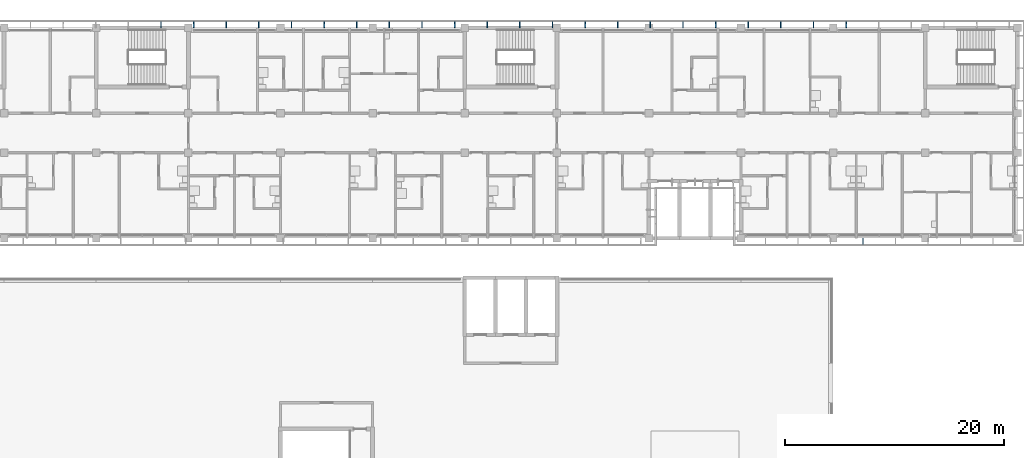
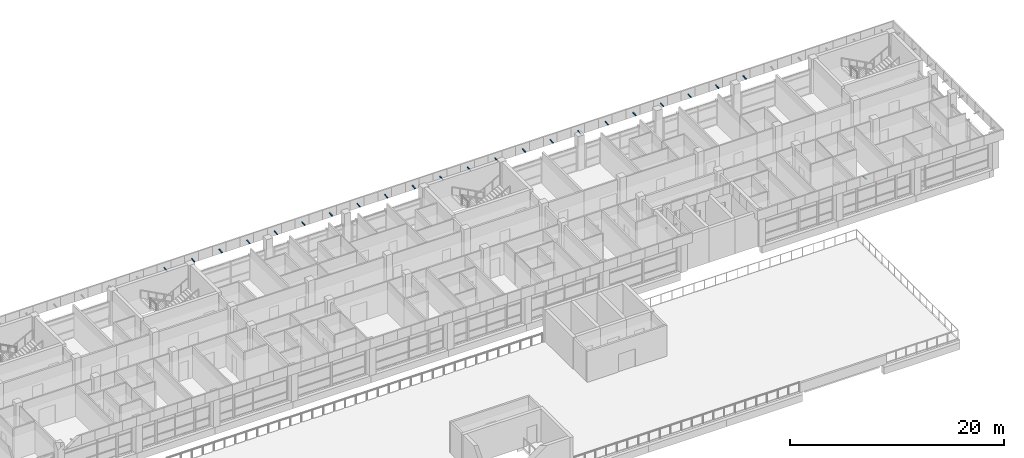
# One storey, part 35 of 46: 23 discrete accessories.
"""IFC4 building model written with IfcOpenShell, lengths in metres."""

import ifcopenshell
import ifcopenshell.guid

model = None  # the IFC model being written
_history = None  # IfcOwnerHistory: only IFC2X3 demands one
_inside = {}  # id of a spatial element -> (the spatial element, [elements in it])
_under = {}  # id of a project, library or spatial element -> (it, [spatial elements below it])
_declared = {}  # id of a project -> (the project, [libraries it declares])
_typed = {}  # id of a type object -> (the type object, [elements of that type])
_made_of = {}  # id of a material, layer set ... -> (it, [elements and type objects made of it])


def new_model(schema):
    """Start an empty IFC model of exactly this schema.

    Asked for "IFC4X3", IfcOpenShell would pick the latest addendum, in which some entities
    have other attributes; the version numbers below select the first issue.
    IFC2X3 requires an IfcOwnerHistory on every rooted entity: one is made here for all.
    """
    global model, _history
    if schema == "IFC4X3":
        model = ifcopenshell.file(schema_version=(4, 3, 0, 0))
    else:
        model = ifcopenshell.file(schema=schema)
    _inside.clear()
    _under.clear()
    _declared.clear()
    _typed.clear()
    _made_of.clear()
    _history = None
    if model.schema == "IFC2X3":
        org = make("IfcOrganization", Name="unknown")
        user = make(
            "IfcPersonAndOrganization",
            ThePerson=make("IfcPerson", FamilyName="unknown"),
            TheOrganization=org,
        )
        app = make(
            "IfcApplication",
            ApplicationDeveloper=org,
            Version="unknown",
            ApplicationFullName="unknown",
            ApplicationIdentifier="unknown",
        )
        _history = make(
            "IfcOwnerHistory",
            OwningUser=user,
            OwningApplication=app,
            ChangeAction="ADDED",
            CreationDate=0,
        )
    return model


def make(cls, **values):
    """One entity of the class cls with the attributes given. An attribute that is None is left unset."""
    return model.create_entity(
        cls, **{name: value for name, value in values.items() if value is not None}
    )


def rooted(cls, **values):
    """An entity with a GlobalId (a new one), such as an element, a storey or a relation."""
    return make(cls, GlobalId=ifcopenshell.guid.new(), OwnerHistory=_history, **values)


def si_unit(unit_type, name, prefix=None):
    """IfcSIUnit, for example si_unit("LENGTHUNIT", "METRE", prefix="MILLI")."""
    return make("IfcSIUnit", UnitType=unit_type, Prefix=prefix, Name=name)


def assignment(units):
    """IfcUnitAssignment: the units of a project."""
    return None if units is None else make("IfcUnitAssignment", Units=units)


def point(xyz):
    """IfcCartesianPoint."""
    return None if xyz is None else make("IfcCartesianPoint", Coordinates=xyz)


def direction(xyz):
    """IfcDirection."""
    return None if xyz is None else make("IfcDirection", DirectionRatios=xyz)


def frame(location, z_axis=None, x_axis=None):
    """IfcAxis2Placement3D, a coordinate frame: its origin and axes. An axis left out is left unset."""
    return make(
        "IfcAxis2Placement3D",
        Location=point(location),
        Axis=direction(z_axis),
        RefDirection=direction(x_axis),
    )


def frame_2d(location, x_axis=None):
    """IfcAxis2Placement2D, a coordinate frame in the plane: its origin and x axis."""
    return make(
        "IfcAxis2Placement2D", Location=point(location), RefDirection=direction(x_axis)
    )


def origin():
    """The frame at (0, 0, 0) with its axes left unset."""
    return frame((0.0, 0.0, 0.0))


def origin_2d():
    """The frame at (0, 0) in the plane with its x axis left unset."""
    return frame_2d((0.0, 0.0))


def place(relative_to, where):
    """IfcLocalPlacement: puts the frame where relative to a parent placement (None: the world)."""
    return make(
        "IfcLocalPlacement", PlacementRelTo=relative_to, RelativePlacement=where
    )


def context(
    kind, dimensions, precision=None, world=None, true_north=None, identifier=None
):
    """IfcGeometricRepresentationContext, for example the 3D "Model" context."""
    return make(
        "IfcGeometricRepresentationContext",
        ContextIdentifier=identifier,
        ContextType=kind,
        CoordinateSpaceDimension=dimensions,
        Precision=precision,
        WorldCoordinateSystem=world,
        TrueNorth=true_north,
    )


def subcontext(parent, identifier, kind, view, scale=None):
    """IfcGeometricRepresentationSubContext, for example "Body" below "Model"."""
    return make(
        "IfcGeometricRepresentationSubContext",
        ContextIdentifier=identifier,
        ContextType=kind,
        ParentContext=parent,
        TargetScale=scale,
        TargetView=view,
    )


def project(units=None, contexts=None):
    """IfcProject with its units and contexts."""
    return rooted(
        "IfcProject",
        Name="project",
        RepresentationContexts=contexts,
        UnitsInContext=assignment(units),
    )


def spatial(cls, under=None, at=None, **own):
    """A site, building, storey or space (cls), placed at a placement, below another one or the project."""
    s = rooted(cls, ObjectPlacement=at, **own)
    if under is not None:
        _under.setdefault(under.id(), (under, []))[1].append(s)
    return s


def profile(cls, at=None, kind="AREA", **sizes):
    """A parametric profile (cls). Its sizes go by their IFC names, for example OverallWidth=200.0."""
    return make(cls, ProfileType=kind, Position=at, **sizes)


def rectangle(**sizes):
    """IfcRectangleProfileDef."""
    return profile("IfcRectangleProfileDef", **sizes)


def extrude(swept, where, along, depth):
    """IfcExtrudedAreaSolid: the profile swept, set in the frame where, extruded along a direction by depth."""
    return make(
        "IfcExtrudedAreaSolid",
        SweptArea=swept,
        Position=where,
        ExtrudedDirection=direction(along),
        Depth=depth,
    )


def shape(context_of_items, identifier, shape_type, items):
    """IfcShapeRepresentation: the items that make up one representation, for example the "Body"."""
    return make(
        "IfcShapeRepresentation",
        ContextOfItems=context_of_items,
        RepresentationIdentifier=identifier,
        RepresentationType=shape_type,
        Items=items,
    )


def material(Name=None, Category=None):
    """IfcMaterial."""
    return make("IfcMaterial", Name=Name, Category=Category)


def material_profile(
    of_material, cross_section, Name=None, Category=None, Priority=None
):
    """IfcMaterialProfile: a cross section and its material."""
    return make(
        "IfcMaterialProfile",
        Name=Name,
        Material=of_material,
        Profile=cross_section,
        Priority=Priority,
        Category=Category,
    )


def profile_set(profiles, Name=None, composite=None):
    """IfcMaterialProfileSet."""
    return make(
        "IfcMaterialProfileSet",
        Name=Name,
        MaterialProfiles=profiles,
        CompositeProfile=composite,
    )


def made_of(thing, what):
    """Note that an element or type object is made of a material, layer set ...; save() writes the relation."""
    if what is not None:
        _made_of.setdefault(what.id(), (what, []))[1].append(thing)
    return thing


def type_object(cls, material=None, **own):
    """A type object (cls), such as IfcWallType, which elements share."""
    return made_of(rooted(cls, **own), material)


def element(
    cls,
    number,
    at=None,
    inside=None,
    cuts=None,
    type_object=None,
    material=None,
    context=None,
    identifier="Body",
    shape_type=None,
    held_by="IfcProductDefinitionShape",
    body=None,
    shapes=None,
    **own,
):
    """One element of the class cls, such as IfcWall. Its Tag is "e" and its number.

    at: its placement. inside: the storey or other place that contains it. cuts: it is an
    opening in that element (IfcRelVoidsElement). A single representation is given by context,
    identifier, shape_type and body (its items); several are given by shapes. held_by: the class
    of the entity that holds the representations. save() writes the other relations.
    """
    e = rooted(cls, Tag="e%d" % number, ObjectPlacement=at, **own)
    if body is not None:
        shapes = [shape(context, identifier, shape_type, body)]
    if shapes is not None:
        e.Representation = make(held_by, Representations=shapes)
    if inside is not None:
        _inside.setdefault(inside.id(), (inside, []))[1].append(e)
    if cuts is not None:
        rooted(
            "IfcRelVoidsElement", RelatingBuildingElement=cuts, RelatedOpeningElement=e
        )
    if type_object is not None:
        _typed.setdefault(type_object.id(), (type_object, []))[1].append(e)
    return made_of(e, material)


def aggregate(whole, parts):
    """IfcRelAggregates: a whole, such as a stair, and the parts it consists of."""
    return rooted("IfcRelAggregates", RelatingObject=whole, RelatedObjects=parts)


def save(model, path):
    """Write the relations noted so far, then the file.

    IfcRelAggregates (storeys below a building ...), IfcRelContainedInSpatialStructure (elements
    in a storey), IfcRelDefinesByType, IfcRelAssociatesMaterial and IfcRelDeclares: one each for
    every whole, place, type object, material and project.
    """
    for whole, parts in _under.values():
        aggregate(whole, parts)
    for where, things in _inside.values():
        rooted(
            "IfcRelContainedInSpatialStructure",
            RelatedElements=things,
            RelatingStructure=where,
        )
    for kind, things in _typed.values():
        rooted("IfcRelDefinesByType", RelatedObjects=things, RelatingType=kind)
    for what, things in _made_of.values():
        rooted("IfcRelAssociatesMaterial", RelatedObjects=things, RelatingMaterial=what)
    for by, libraries in _declared.values():
        rooted("IfcRelDeclares", RelatingContext=by, RelatedDefinitions=libraries)
    model.write(path)


model = new_model("IFC4")

# Units and contexts
model_context = context("Model", 3, precision=1e-05, world=origin(), true_north=direction((0.0, 1.0)))
body_context = subcontext(model_context, "Body", "Model", "MODEL_VIEW")
ifc_project = project(units=[si_unit("LENGTHUNIT", "METRE"), si_unit("AREAUNIT", "SQUARE_METRE"), si_unit("VOLUMEUNIT", "CUBIC_METRE"), si_unit("PLANEANGLEUNIT", "RADIAN"), si_unit("MASSUNIT", "GRAM", prefix="KILO")], contexts=[model_context])

# Site, building, storey
site_placement = place(None, origin())
site = spatial("IfcSite", under=ifc_project, at=site_placement, CompositionType="ELEMENT")
building_placement = place(site_placement, origin())
building = spatial("IfcBuilding", under=site, at=building_placement, Name="Bougainvillea Quay General Hospital", CompositionType="ELEMENT")
storey_placement = place(building_placement, frame((0.0, 0.0, 28.800048828125)))
storey = spatial("IfcBuildingStorey", under=building, at=storey_placement, Name="L06", CompositionType="ELEMENT", Elevation=28.800048828125)

# Discrete accessories
ifc_material = material(Name="Stainless steel bracket, grade 316", Category="steel")
ifc_material_profile = material_profile(ifc_material, rectangle(XDim=0.080078125, YDim=0.050048828125, at=origin_2d()))
ifc_profile_set = profile_set([ifc_material_profile], Name="Stainless steel bracket, grade 316")
discrete_accessory_type = type_object("IfcDiscreteAccessoryType", Name="Stainless steel stand-off bracket 80x50", PredefinedType="BRACKET", material=ifc_profile_set)
for number, where, z_axis, x_axis, name in (
    (1, (169.18115234375, 159.60009765625, 3.83984375), (0.0, 0.994086591779, 0.108590276011), (-1.0, 0.0, 0.0), "Fascia bracket e0 11"),
    (2, (166.206298828125, 159.60009765625, 3.83984375), (0.0, 0.994086591779, 0.108590276011), (-1.0, 0.0, 0.0), "Fascia bracket e0 13"),
    (3, (163.231201171875, 159.60009765625, 3.83984375), (0.0, 0.994086591779, 0.108590276011), (-1.0, 0.0, 0.0), "Fascia bracket e0 15"),
    (4, (160.25634765625, 159.60009765625, 3.83984375), (0.0, 0.994086591779, 0.108590276011), (-1.0, 0.0, 0.0), "Fascia bracket e0 17"),
    (5, (157.28125, 159.60009765625, 3.83984375), (0.0, 0.994086591779, 0.108590276011), (-1.0, 0.0, 0.0), "Fascia bracket e0 19"),
    (6, (154.30615234375, 159.60009765625, 3.83984375), (0.0, 0.994086591779, 0.108590276011), (-1.0, 0.0, 0.0), "Fascia bracket e0 21"),
    (7, (151.331298828125, 159.60009765625, 3.83984375), (0.0, 0.994086591779, 0.108590276011), (-1.0, 0.0, 0.0), "Fascia bracket e0 23"),
    (8, (148.356201171875, 159.60009765625, 3.83984375), (0.0, 0.994086591779, 0.108590276011), (-1.0, 0.0, 0.0), "Fascia bracket e0 25"),
    (9, (145.38134765625, 159.60009765625, 3.83984375), (0.0, 0.994086591779, 0.108590276011), (-1.0, 0.0, 0.0), "Fascia bracket e0 27"),
    (10, (142.40625, 159.60009765625, 3.83984375), (0.0, 0.994086591779, 0.108590276011), (-1.0, 0.0, 0.0), "Fascia bracket e0 29"),
    (11, (139.43115234375, 159.60009765625, 3.83984375), (0.0, 0.994086591779, 0.108590276011), (-1.0, 0.0, 0.0), "Fascia bracket e0 31"),
    (12, (136.456298828125, 159.60009765625, 3.83984375), (0.0, 0.994086591779, 0.108590276011), (-1.0, 0.0, 0.0), "Fascia bracket e0 33"),
    (13, (133.481201171875, 159.60009765625, 3.83984375), (0.0, 0.994086591779, 0.108590276011), (-1.0, 0.0, 0.0), "Fascia bracket e0 35"),
    (14, (130.50634765625, 159.60009765625, 3.83984375), (0.0, 0.994086591779, 0.108590276011), (-1.0, 0.0, 0.0), "Fascia bracket e0 37"),
    (15, (127.53125, 159.60009765625, 3.83984375), (0.0, 0.994086591779, 0.108590276011), (-1.0, 0.0, 0.0), "Fascia bracket e0 39"),
    (16, (124.55615234375, 159.60009765625, 3.83984375), (0.0, 0.994086591779, 0.108590276011), (-1.0, 0.0, 0.0), "Fascia bracket e0 41"),
    (17, (121.581298828125, 159.60009765625, 3.83984375), (0.0, 0.994086591779, 0.108590276011), (-1.0, 0.0, 0.0), "Fascia bracket e0 43"),
    (18, (118.606201171875, 159.60009765625, 3.83984375), (0.0, 0.994086591779, 0.108590276011), (-1.0, 0.0, 0.0), "Fascia bracket e0 45"),
    (19, (115.63134765625, 159.60009765625, 3.83984375), (0.0, 0.994086591779, 0.108590276011), (-1.0, 0.0, 0.0), "Fascia bracket e0 47"),
    (20, (112.65625, 159.60009765625, 3.83984375), (0.0, 0.994086591779, 0.108590276011), (-1.0, 0.0, 0.0), "Fascia bracket e0 49"),
    (21, (109.68115234375, 159.60009765625, 3.83984375), (0.0, 0.994086591779, 0.108590276011), (-1.0, 0.0, 0.0), "Fascia bracket e0 51"),
    (22, (106.706298828125, 159.60009765625, 3.83984375), (0.0, 0.994086591779, 0.108590276011), (-1.0, 0.0, 0.0), "Fascia bracket e0 53"),
    (23, (170.717529296875, 140.39990234375, 3.83984375), (0.0, -0.994086591779, 0.108590276011), (1.0, 0.0, 0.0), "Fascia bracket e0 213"),
):
    element("IfcDiscreteAccessory", number, at=place(storey_placement, frame(where, z_axis=z_axis, x_axis=x_axis)), inside=storey, type_object=discrete_accessory_type, Name=name, PredefinedType="BRACKET", context=body_context, shape_type="SweptSolid", body=[
        extrude(rectangle(XDim=0.080078125, YDim=0.050048828125, at=origin_2d()), origin(), (0.0, 0.0, 1.0), 0.552978515625),
    ])

save(model, "model.ifc")
